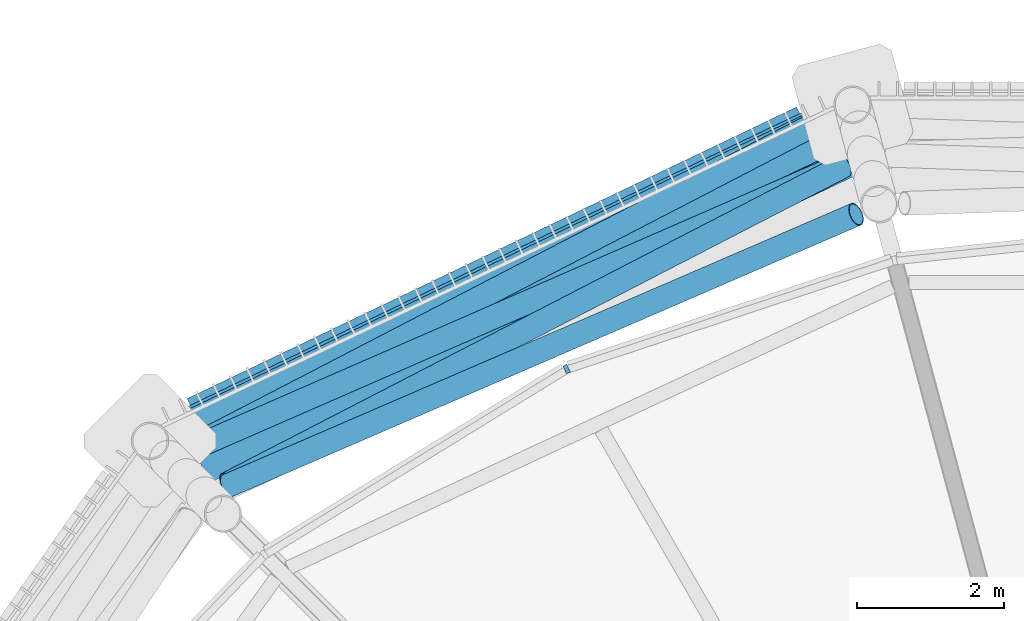
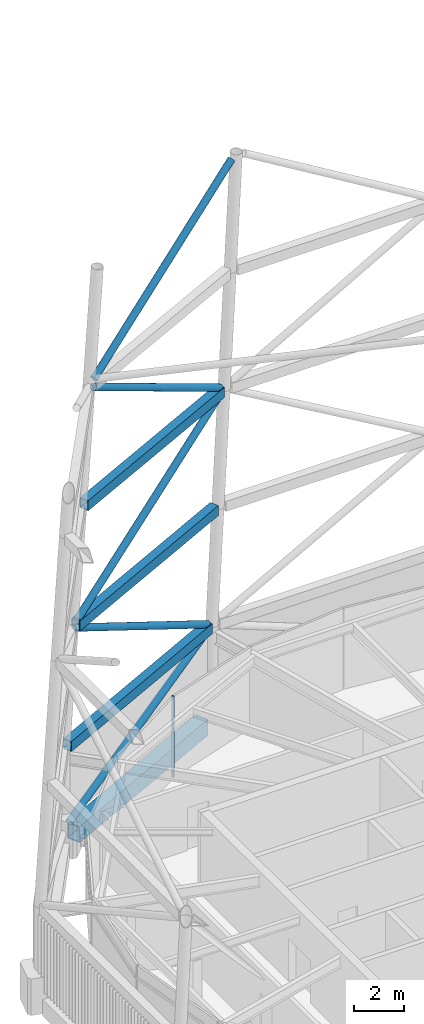
# One storey, part 29 of 71: 6 members, 4 beams, 1 element without a shape of its own.
"""IFC4 building model written with IfcOpenShell, lengths in metres."""

from ifc_helpers import new_model, si_unit, direction, frame, origin, origin_2d, place, context, subcontext, project, spatial, rectangle, hollow_rectangle, hollow_circle, extrude, material, material_profile, profile_set, type_object, element, aggregate, save


model = new_model("IFC4")

# Units and contexts
model_context = context("Model", 3, precision=1e-05, world=origin(), true_north=direction((0.0, 1.0)))
body_context = subcontext(model_context, "Body", "Model", "MODEL_VIEW")
ifc_project = project(units=[si_unit("LENGTHUNIT", "METRE"), si_unit("AREAUNIT", "SQUARE_METRE"), si_unit("VOLUMEUNIT", "CUBIC_METRE"), si_unit("PLANEANGLEUNIT", "RADIAN"), si_unit("MASSUNIT", "GRAM", prefix="KILO")], contexts=[model_context])

# Site, building, storey
site_placement = place(None, origin())
site = spatial("IfcSite", under=ifc_project, at=site_placement, CompositionType="ELEMENT")
building_placement = place(site_placement, origin())
building = spatial("IfcBuilding", under=site, at=building_placement, Name="Rimbun Link Towers", CompositionType="ELEMENT")
storey_placement = place(building_placement, frame((0.0, 0.0, 267.60009765625)))
storey = spatial("IfcBuildingStorey", under=building, at=storey_placement, Name="L65", CompositionType="ELEMENT", Elevation=267.60009765625)

# Curtain wall, member
ifc_material_1 = material(Name="Aluminium 6063-T6 louvre wall", Category="aluminium")
curtain_wall_type = type_object("IfcCurtainWallType", Name="CW6 plant floor louvre wall", PredefinedType="NOTDEFINED", material=ifc_material_1)
curtain_wall_placement = place(storey_placement, origin())
curtain_wall = element("IfcCurtainWall", 1, at=curtain_wall_placement, inside=storey, type_object=curtain_wall_type, Name="CW6 L65 T1", PredefinedType="NOTDEFINED")
ifc_material_2 = material(Name="Aluminium 6063-T6", Category="aluminium")
ifc_material_profile_1 = material_profile(ifc_material_2, rectangle(XDim=0.1201171875, YDim=0.06005859375, at=origin_2d()), Name="MULLION 60X120")
ifc_profile_set_1 = profile_set([ifc_material_profile_1], Name="Aluminium 6063-T6")
member_type_1 = type_object("IfcMemberType", Name="CW6 mullion 60X120", PredefinedType="MULLION", material=ifc_profile_set_1)
member_1_placement = place(storey_placement, frame((-40.794677734375, 15.67626953125, 0.0), z_axis=(0.0, 0.0, 1.0), x_axis=(-0.421708717107, 0.906731359288, 0.0)))
member_1 = element("IfcMember", 2, at=member_1_placement, type_object=member_type_1, Name="CW6 mullion", PredefinedType="MULLION", context=body_context, shape_type="SweptSolid", body=[
    extrude(rectangle(XDim=0.1201171875, YDim=0.06005859375, at=origin_2d()), origin(), (0.0, 0.0, 1.0), 4.0),
])
aggregate(curtain_wall, [member_1])

# Members
ifc_material_3 = material(Name="Steel S355J2H", Category="steel")
ifc_material_profile_2 = material_profile(ifc_material_3, hollow_circle(Radius=0.161865234375, WallThickness=0.011962890625, at=origin_2d()), Name="Crown frame brace CHS 324x12")
ifc_profile_set_2 = profile_set([ifc_material_profile_2], Name="Steel S355J2H")
member_type_2 = type_object("IfcMemberType", Name="Crown frame brace CHS 324x12", PredefinedType="BRACE", material=ifc_profile_set_2)
member_2_placement = place(storey_placement, frame((-46.113525390625, 14.862548828125, 0.141357421875), z_axis=(0.843668551505, 0.403789691529, 0.353803985585), x_axis=(-0.431713068819, 0.902010990072, 0.0)))
element("IfcMember", 3, at=member_2_placement, inside=storey, type_object=member_type_2, Name="CROWN FRAME brace T1 1-03", PredefinedType="BRACE", context=body_context, shape_type="SweptSolid", body=[
    extrude(hollow_circle(Radius=0.161865234375, WallThickness=0.011962890625, at=origin_2d()), origin(), (0.0, 0.0, 1.0), 10.505859375),
])
member_3_placement = place(storey_placement, frame((-37.220458984375, 19.106689453125, 4.198974609375), z_axis=(-0.770309647108, -0.398996680692, 0.4974180298), x_axis=(0.459932714443, -0.887953770297, 0.0)))
element("IfcMember", 4, at=member_3_placement, inside=storey, type_object=member_type_2, Name="CROWN FRAME brace T1 2-03", PredefinedType="BRACE", context=body_context, shape_type="SweptSolid", body=[
    extrude(hollow_circle(Radius=0.161865234375, WallThickness=0.011962890625, at=origin_2d()), origin(), (0.0, 0.0, 1.0), 11.26171875),
])
member_4_placement = place(storey_placement, frame((-45.88671875, 14.592041015625, 10.20068359375), z_axis=(0.792576491471, 0.346121435521, 0.50201838317), x_axis=(-0.400206572605, 0.916424955599, 0.0)))
element("IfcMember", 5, at=member_4_placement, inside=storey, type_object=member_type_2, Name="CROWN FRAME brace T1 3-03", PredefinedType="BRACE", context=body_context, shape_type="SweptSolid", body=[
    extrude(hollow_circle(Radius=0.161865234375, WallThickness=0.011962890625, at=origin_2d()), origin(), (0.0, 0.0, 1.0), 11.15185546875),
])
member_5_placement = place(storey_placement, frame((-37.036865234375, 18.4326171875, 16.2041015625), z_axis=(-0.76407636869, -0.394212390523, 0.510670044126), x_axis=(0.458505511118, -0.888691564197, 0.0)))
element("IfcMember", 6, at=member_5_placement, inside=storey, type_object=member_type_2, Name="CROWN FRAME brace T1 4-03", PredefinedType="BRACE", context=body_context, shape_type="SweptSolid", body=[
    extrude(hollow_circle(Radius=0.161865234375, WallThickness=0.011962890625, at=origin_2d()), origin(), (0.0, 0.0, 1.0), 10.949462890625),
])
member_6_placement = place(storey_placement, frame((-45.393798828125, 14.094482421875, 22.2060546875), z_axis=(0.786713243081, 0.339771845187, 0.515400200212), x_axis=(-0.3964898768, 0.918039093718, 0.0)))
element("IfcMember", 7, at=member_6_placement, inside=storey, type_object=member_type_2, Name="CROWN FRAME brace T1 5-03", PredefinedType="BRACE", context=body_context, shape_type="SweptSolid", body=[
    extrude(hollow_circle(Radius=0.161865234375, WallThickness=0.011962890625, at=origin_2d()), origin(), (0.0, 0.0, 1.0), 10.84130859375),
])

# Beams
ifc_material_4 = material(Name="Steel S355J2", Category="steel")
ifc_material_profile_3 = material_profile(ifc_material_4, hollow_rectangle(XDim=0.39990234375, YDim=0.5, WallThickness=0.02001953125, at=origin_2d()), Name="Crown frame ring beam BOX 400x500x20")
ifc_profile_set_3 = profile_set([ifc_material_profile_3], Name="Steel S355J2")
beam_type_1 = type_object("IfcBeamType", Name="Crown frame ring beam BOX 400x500x20", PredefinedType="BEAM", material=ifc_profile_set_3)
beam_1_placement = place(storey_placement, frame((-37.1416015625, 19.156494140625, 4.0), z_axis=(-0.902020502404, -0.431693193418, 0.0), x_axis=(0.431693193418, -0.902020502404, 0.0)))
element("IfcBeam", 8, at=beam_1_placement, inside=storey, type_object=beam_type_1, Name="CROWN FRAME ring beam T1 1-03", PredefinedType="BEAM", context=body_context, shape_type="SweptSolid", body=[
    extrude(hollow_rectangle(XDim=0.39990234375, YDim=0.5, WallThickness=0.02001953125, at=origin_2d()), origin(), (0.0, 0.0, 1.0), 10.066650390625),
])
beam_2_placement = place(storey_placement, frame((-37.051025390625, 18.81884765625, 10.0), z_axis=(-0.902599252642, -0.430481810453, 0.0), x_axis=(0.430481810453, -0.902599252642, 0.0)))
element("IfcBeam", 9, at=beam_2_placement, inside=storey, type_object=beam_type_1, Name="CROWN FRAME ring beam T1 2-03", PredefinedType="BEAM", context=body_context, shape_type="SweptSolid", body=[
    extrude(hollow_rectangle(XDim=0.39990234375, YDim=0.5, WallThickness=0.02001953125, at=origin_2d()), origin(), (0.0, 0.0, 1.0), 9.88623046875),
])
beam_3_placement = place(storey_placement, frame((-36.960693359375, 18.481201171875, 16.0), z_axis=(-0.903193160089, -0.429234336427, 0.0), x_axis=(0.429234336427, -0.903193160089, 0.0)))
element("IfcBeam", 10, at=beam_3_placement, inside=storey, type_object=beam_type_1, Name="CROWN FRAME ring beam T1 3-03", PredefinedType="BEAM", context=body_context, shape_type="SweptSolid", body=[
    extrude(hollow_rectangle(XDim=0.39990234375, YDim=0.5, WallThickness=0.02001953125, at=origin_2d()), origin(), (0.0, 0.0, 1.0), 9.705810546875),
])
ifc_material_5 = material(Name="Steel S355J2", Category="steel")
ifc_material_profile_4 = material_profile(ifc_material_5, hollow_rectangle(XDim=0.60009765625, YDim=0.800048828125, WallThickness=0.0400390625, at=origin_2d()), Name="Exoskeleton ring girder BOX 600x800x40")
ifc_profile_set_4 = profile_set([ifc_material_profile_4], Name="Steel S355J2")
beam_type_2 = type_object("IfcBeamType", Name="Exoskeleton ring girder BOX 600x800x40", PredefinedType="BEAM", material=ifc_profile_set_4)
beam_4_placement = place(storey_placement, frame((-37.543701171875, 18.964111328125, -0.56005859375), z_axis=(-0.902021160165, -0.431691819026, 0.0), x_axis=(0.431691819026, -0.902021160165, 0.0)))
element("IfcBeam", 11, at=beam_4_placement, inside=storey, type_object=beam_type_2, Name="Exoskeleton ring girder L65 03", PredefinedType="BEAM", context=body_context, shape_type="SweptSolid", body=[
    extrude(hollow_rectangle(XDim=0.60009765625, YDim=0.800048828125, WallThickness=0.0400390625, at=origin_2d()), origin(), (0.0, 0.0, 1.0), 9.1748046875),
])

save(model, "model.ifc")
